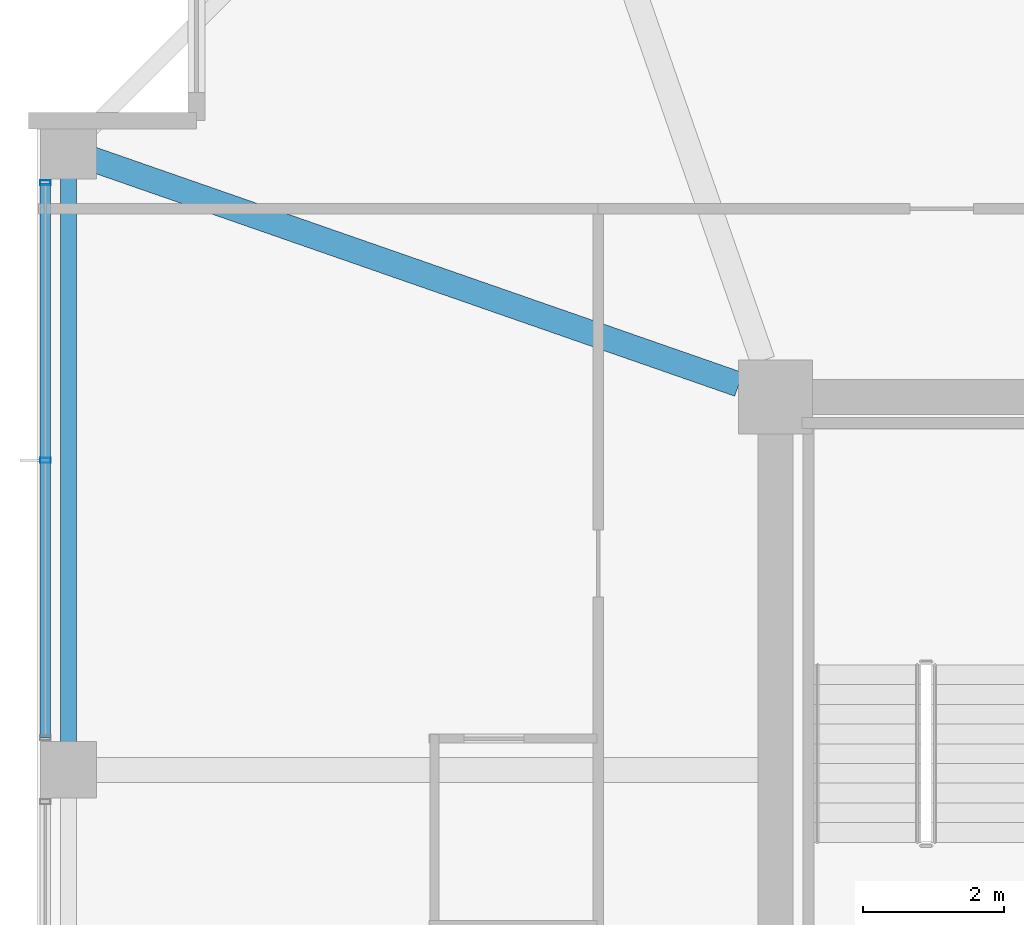
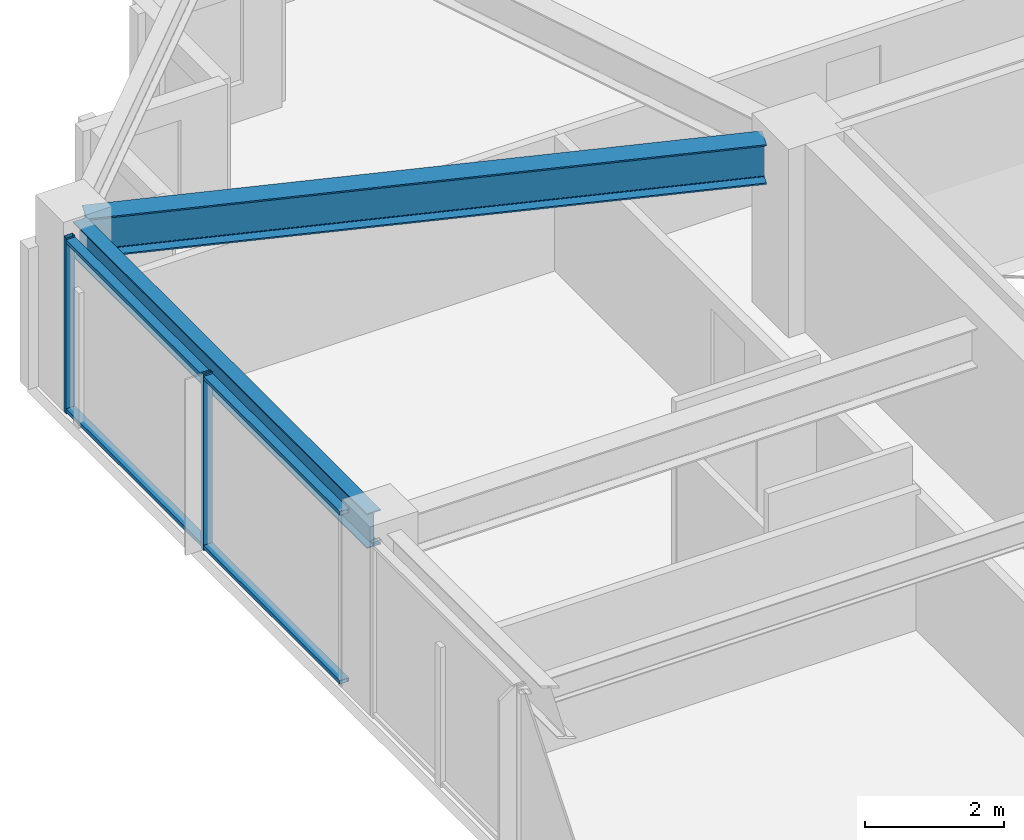
# One storey, part 14 of 36: 4 members, 2 beams, 1 element without a shape of its own.
"""IFC4 building model written with IfcOpenShell, lengths in metres."""

import ifcopenshell
import ifcopenshell.guid

model = None  # the IFC model being written
_history = None  # IfcOwnerHistory: only IFC2X3 demands one
_inside = {}  # id of a spatial element -> (the spatial element, [elements in it])
_under = {}  # id of a project, library or spatial element -> (it, [spatial elements below it])
_declared = {}  # id of a project -> (the project, [libraries it declares])
_typed = {}  # id of a type object -> (the type object, [elements of that type])
_made_of = {}  # id of a material, layer set ... -> (it, [elements and type objects made of it])


def new_model(schema):
    """Start an empty IFC model of exactly this schema.

    Asked for "IFC4X3", IfcOpenShell would pick the latest addendum, in which some entities
    have other attributes; the version numbers below select the first issue.
    IFC2X3 requires an IfcOwnerHistory on every rooted entity: one is made here for all.
    """
    global model, _history
    if schema == "IFC4X3":
        model = ifcopenshell.file(schema_version=(4, 3, 0, 0))
    else:
        model = ifcopenshell.file(schema=schema)
    _inside.clear()
    _under.clear()
    _declared.clear()
    _typed.clear()
    _made_of.clear()
    _history = None
    if model.schema == "IFC2X3":
        org = make("IfcOrganization", Name="unknown")
        user = make(
            "IfcPersonAndOrganization",
            ThePerson=make("IfcPerson", FamilyName="unknown"),
            TheOrganization=org,
        )
        app = make(
            "IfcApplication",
            ApplicationDeveloper=org,
            Version="unknown",
            ApplicationFullName="unknown",
            ApplicationIdentifier="unknown",
        )
        _history = make(
            "IfcOwnerHistory",
            OwningUser=user,
            OwningApplication=app,
            ChangeAction="ADDED",
            CreationDate=0,
        )
    return model


def make(cls, **values):
    """One entity of the class cls with the attributes given. An attribute that is None is left unset."""
    return model.create_entity(
        cls, **{name: value for name, value in values.items() if value is not None}
    )


def rooted(cls, **values):
    """An entity with a GlobalId (a new one), such as an element, a storey or a relation."""
    return make(cls, GlobalId=ifcopenshell.guid.new(), OwnerHistory=_history, **values)


def si_unit(unit_type, name, prefix=None):
    """IfcSIUnit, for example si_unit("LENGTHUNIT", "METRE", prefix="MILLI")."""
    return make("IfcSIUnit", UnitType=unit_type, Prefix=prefix, Name=name)


def assignment(units):
    """IfcUnitAssignment: the units of a project."""
    return None if units is None else make("IfcUnitAssignment", Units=units)


def point(xyz):
    """IfcCartesianPoint."""
    return None if xyz is None else make("IfcCartesianPoint", Coordinates=xyz)


def direction(xyz):
    """IfcDirection."""
    return None if xyz is None else make("IfcDirection", DirectionRatios=xyz)


def frame(location, z_axis=None, x_axis=None):
    """IfcAxis2Placement3D, a coordinate frame: its origin and axes. An axis left out is left unset."""
    return make(
        "IfcAxis2Placement3D",
        Location=point(location),
        Axis=direction(z_axis),
        RefDirection=direction(x_axis),
    )


def frame_2d(location, x_axis=None):
    """IfcAxis2Placement2D, a coordinate frame in the plane: its origin and x axis."""
    return make(
        "IfcAxis2Placement2D", Location=point(location), RefDirection=direction(x_axis)
    )


def origin():
    """The frame at (0, 0, 0) with its axes left unset."""
    return frame((0.0, 0.0, 0.0))


def origin_2d():
    """The frame at (0, 0) in the plane with its x axis left unset."""
    return frame_2d((0.0, 0.0))


def place(relative_to, where):
    """IfcLocalPlacement: puts the frame where relative to a parent placement (None: the world)."""
    return make(
        "IfcLocalPlacement", PlacementRelTo=relative_to, RelativePlacement=where
    )


def context(
    kind, dimensions, precision=None, world=None, true_north=None, identifier=None
):
    """IfcGeometricRepresentationContext, for example the 3D "Model" context."""
    return make(
        "IfcGeometricRepresentationContext",
        ContextIdentifier=identifier,
        ContextType=kind,
        CoordinateSpaceDimension=dimensions,
        Precision=precision,
        WorldCoordinateSystem=world,
        TrueNorth=true_north,
    )


def subcontext(parent, identifier, kind, view, scale=None):
    """IfcGeometricRepresentationSubContext, for example "Body" below "Model"."""
    return make(
        "IfcGeometricRepresentationSubContext",
        ContextIdentifier=identifier,
        ContextType=kind,
        ParentContext=parent,
        TargetScale=scale,
        TargetView=view,
    )


def project(units=None, contexts=None):
    """IfcProject with its units and contexts."""
    return rooted(
        "IfcProject",
        Name="project",
        RepresentationContexts=contexts,
        UnitsInContext=assignment(units),
    )


def spatial(cls, under=None, at=None, **own):
    """A site, building, storey or space (cls), placed at a placement, below another one or the project."""
    s = rooted(cls, ObjectPlacement=at, **own)
    if under is not None:
        _under.setdefault(under.id(), (under, []))[1].append(s)
    return s


def profile(cls, at=None, kind="AREA", **sizes):
    """A parametric profile (cls). Its sizes go by their IFC names, for example OverallWidth=200.0."""
    return make(cls, ProfileType=kind, Position=at, **sizes)


def hollow_rectangle(**sizes):
    """IfcRectangleHollowProfileDef."""
    return profile("IfcRectangleHollowProfileDef", **sizes)


def i_section(**sizes):
    """IfcIShapeProfileDef."""
    return profile("IfcIShapeProfileDef", **sizes)


def extrude(swept, where, along, depth):
    """IfcExtrudedAreaSolid: the profile swept, set in the frame where, extruded along a direction by depth."""
    return make(
        "IfcExtrudedAreaSolid",
        SweptArea=swept,
        Position=where,
        ExtrudedDirection=direction(along),
        Depth=depth,
    )


def shape(context_of_items, identifier, shape_type, items):
    """IfcShapeRepresentation: the items that make up one representation, for example the "Body"."""
    return make(
        "IfcShapeRepresentation",
        ContextOfItems=context_of_items,
        RepresentationIdentifier=identifier,
        RepresentationType=shape_type,
        Items=items,
    )


def material(Name=None, Category=None):
    """IfcMaterial."""
    return make("IfcMaterial", Name=Name, Category=Category)


def material_profile(
    of_material, cross_section, Name=None, Category=None, Priority=None
):
    """IfcMaterialProfile: a cross section and its material."""
    return make(
        "IfcMaterialProfile",
        Name=Name,
        Material=of_material,
        Profile=cross_section,
        Priority=Priority,
        Category=Category,
    )


def profile_set(profiles, Name=None, composite=None):
    """IfcMaterialProfileSet."""
    return make(
        "IfcMaterialProfileSet",
        Name=Name,
        MaterialProfiles=profiles,
        CompositeProfile=composite,
    )


def made_of(thing, what):
    """Note that an element or type object is made of a material, layer set ...; save() writes the relation."""
    if what is not None:
        _made_of.setdefault(what.id(), (what, []))[1].append(thing)
    return thing


def type_object(cls, material=None, **own):
    """A type object (cls), such as IfcWallType, which elements share."""
    return made_of(rooted(cls, **own), material)


def element(
    cls,
    number,
    at=None,
    inside=None,
    cuts=None,
    type_object=None,
    material=None,
    context=None,
    identifier="Body",
    shape_type=None,
    held_by="IfcProductDefinitionShape",
    body=None,
    shapes=None,
    **own,
):
    """One element of the class cls, such as IfcWall. Its Tag is "e" and its number.

    at: its placement. inside: the storey or other place that contains it. cuts: it is an
    opening in that element (IfcRelVoidsElement). A single representation is given by context,
    identifier, shape_type and body (its items); several are given by shapes. held_by: the class
    of the entity that holds the representations. save() writes the other relations.
    """
    e = rooted(cls, Tag="e%d" % number, ObjectPlacement=at, **own)
    if body is not None:
        shapes = [shape(context, identifier, shape_type, body)]
    if shapes is not None:
        e.Representation = make(held_by, Representations=shapes)
    if inside is not None:
        _inside.setdefault(inside.id(), (inside, []))[1].append(e)
    if cuts is not None:
        rooted(
            "IfcRelVoidsElement", RelatingBuildingElement=cuts, RelatedOpeningElement=e
        )
    if type_object is not None:
        _typed.setdefault(type_object.id(), (type_object, []))[1].append(e)
    return made_of(e, material)


def aggregate(whole, parts):
    """IfcRelAggregates: a whole, such as a stair, and the parts it consists of."""
    return rooted("IfcRelAggregates", RelatingObject=whole, RelatedObjects=parts)


def save(model, path):
    """Write the relations noted so far, then the file.

    IfcRelAggregates (storeys below a building ...), IfcRelContainedInSpatialStructure (elements
    in a storey), IfcRelDefinesByType, IfcRelAssociatesMaterial and IfcRelDeclares: one each for
    every whole, place, type object, material and project.
    """
    for whole, parts in _under.values():
        aggregate(whole, parts)
    for where, things in _inside.values():
        rooted(
            "IfcRelContainedInSpatialStructure",
            RelatedElements=things,
            RelatingStructure=where,
        )
    for kind, things in _typed.values():
        rooted("IfcRelDefinesByType", RelatedObjects=things, RelatingType=kind)
    for what, things in _made_of.values():
        rooted("IfcRelAssociatesMaterial", RelatedObjects=things, RelatingMaterial=what)
    for by, libraries in _declared.values():
        rooted("IfcRelDeclares", RelatingContext=by, RelatedDefinitions=libraries)
    model.write(path)


model = new_model("IFC4")

# Units and contexts
model_context = context("Model", 3, precision=1e-05, world=origin(), true_north=direction((0.0, 1.0)))
body_context = subcontext(model_context, "Body", "Model", "MODEL_VIEW")
ifc_project = project(units=[si_unit("LENGTHUNIT", "METRE"), si_unit("AREAUNIT", "SQUARE_METRE"), si_unit("VOLUMEUNIT", "CUBIC_METRE"), si_unit("PLANEANGLEUNIT", "RADIAN"), si_unit("MASSUNIT", "GRAM", prefix="KILO")], contexts=[model_context])

# Site, building, storey
site_placement = place(None, origin())
site = spatial("IfcSite", under=ifc_project, at=site_placement, CompositionType="ELEMENT")
building_placement = place(site_placement, origin())
building = spatial("IfcBuilding", under=site, at=building_placement, Name="Kolvaren Belvedere", CompositionType="ELEMENT")
storey_placement = place(building_placement, frame((0.0, 0.0, 193.199951171875)))
storey = spatial("IfcBuildingStorey", under=building, at=storey_placement, Name="L56", CompositionType="ELEMENT", Elevation=193.199951171875)

# Beams
ifc_material_1 = material(Name="Structural steel ASTM A992 Grade 50", Category="steel")
ifc_material_profile_1 = material_profile(ifc_material_1, i_section(OverallWidth=0.35498046875, OverallDepth=0.696044921875, WebThickness=0.015380859375, FlangeThickness=0.02490234375, FilletRadius=0.02197265625, at=origin_2d()), Name="W27X146")
ifc_profile_set_1 = profile_set([ifc_material_profile_1], Name="Structural steel ASTM A992 Grade 50")
beam_type_1 = type_object("IfcBeamType", Name="BM-GIRD-W27X146", PredefinedType="BEAM", material=ifc_profile_set_1)
beam_1_placement = place(storey_placement, frame((-10.41943359375, 10.080810546875, 2.73193359375), z_axis=(-0.944365399758, 0.328898147971, 0.0), x_axis=(-0.328898147971, -0.944365399758, 0.0)))
element("IfcBeam", 1, at=beam_1_placement, inside=storey, type_object=beam_type_1, Name="L56 Corner Core-to-Perimeter Girder CC4-W4", PredefinedType="BEAM", context=body_context, shape_type="SweptSolid", body=[
    extrude(i_section(OverallWidth=0.35498046875, OverallDepth=0.696044921875, WebThickness=0.015380859375, FlangeThickness=0.02490234375, FilletRadius=0.02197265625, at=origin_2d()), origin(), (0.0, 0.0, 1.0), 9.931884765625),
])
ifc_material_2 = material(Name="Structural steel ASTM A992 Grade 50", Category="steel")
ifc_material_profile_2 = material_profile(ifc_material_2, i_section(OverallWidth=0.22900390625, OverallDepth=0.612060546875, WebThickness=0.011962890625, FlangeThickness=0.01953125, FilletRadius=0.01806640625, at=origin_2d()), Name="W24X84")
ifc_profile_set_2 = profile_set([ifc_material_profile_2], Name="Structural steel ASTM A992 Grade 50")
beam_type_2 = type_object("IfcBeamType", Name="BM-SPAN-W24X84", PredefinedType="SPANDREL", material=ifc_profile_set_2)
beam_2_placement = place(storey_placement, frame((-19.949951171875, 13.219970703125, 2.774169921875), z_axis=(0.0, -1.0, 0.0), x_axis=(1.0, 0.0, 0.0)))
element("IfcBeam", 2, at=beam_2_placement, inside=storey, type_object=beam_type_2, Name="L56 Perimeter Spandrel W4-W3", PredefinedType="SPANDREL", context=body_context, shape_type="SweptSolid", body=[
    extrude(i_section(OverallWidth=0.22900390625, OverallDepth=0.612060546875, WebThickness=0.011962890625, FlangeThickness=0.01953125, FilletRadius=0.01806640625, at=origin_2d()), origin(), (0.0, 0.0, 1.0), 8.43994140625),
])

# Curtain wall, members
ifc_material_3 = material(Name="Anodised pale-metal aluminium AA 6063-T6", Category="aluminium")
curtain_wall_type = type_object("IfcCurtainWallType", Name="CW-Z5-HIGH", PredefinedType="NOTDEFINED", material=ifc_material_3)
curtain_wall_placement = place(storey_placement, origin())
curtain_wall = element("IfcCurtainWall", 3, at=curtain_wall_placement, inside=storey, type_object=curtain_wall_type, Name="L56 Unitised Curtain Wall FCW-L56-W-B3", PredefinedType="NOTDEFINED")
ifc_material_4 = material(Name="Anodised pale-metal aluminium AA 6063-T6", Category="aluminium")
ifc_material_profile_3 = material_profile(ifc_material_4, hollow_rectangle(XDim=0.070068359375, YDim=0.14990234375, WallThickness=0.004150390625, at=origin_2d()), Name="ALU-MUL-150X70")
ifc_profile_set_3 = profile_set([ifc_material_profile_3], Name="Anodised pale-metal aluminium AA 6063-T6")
member_type_1 = type_object("IfcMemberType", Name="CW-MUL-150", PredefinedType="MULLION", material=ifc_profile_set_3)
member_1_placement = place(storey_placement, frame((-20.280029296875, 9.0, 0.0), z_axis=(0.0, 0.0, 1.0), x_axis=(0.0, 1.0, 0.0)))
member_1 = element("IfcMember", 4, at=member_1_placement, type_object=member_type_1, Name="FCW-L56-W-B3 Unitised Mullion 2", PredefinedType="MULLION", context=body_context, shape_type="SweptSolid", body=[
    extrude(hollow_rectangle(XDim=0.070068359375, YDim=0.14990234375, WallThickness=0.004150390625, at=origin_2d()), origin(), (0.0, 0.0, 1.0), 3.080078125),
])
member_2_placement = place(storey_placement, frame((-20.280029296875, 12.945068359375, 0.0), z_axis=(0.0, 0.0, 1.0), x_axis=(0.0, 1.0, 0.0)))
member_2 = element("IfcMember", 5, at=member_2_placement, type_object=member_type_1, Name="FCW-L56-W-B3 Unitised Mullion 3", PredefinedType="MULLION", context=body_context, shape_type="SweptSolid", body=[
    extrude(hollow_rectangle(XDim=0.070068359375, YDim=0.14990234375, WallThickness=0.004150390625, at=origin_2d()), origin(), (0.0, 0.0, 1.0), 3.080078125),
])
ifc_material_5 = material(Name="Anodised pale-metal aluminium AA 6063-T6", Category="aluminium")
ifc_material_profile_4 = material_profile(ifc_material_5, hollow_rectangle(XDim=0.06494140625, YDim=0.14990234375, WallThickness=0.00390625, at=origin_2d()), Name="ALU-TRN-150X65")
ifc_profile_set_4 = profile_set([ifc_material_profile_4], Name="Anodised pale-metal aluminium AA 6063-T6")
member_type_2 = type_object("IfcMemberType", Name="CW-TRN-150", PredefinedType="USERDEFINED", material=ifc_profile_set_4)
member_3_placement = place(storey_placement, frame((-20.280029296875, 5.054931640625, 0.06005859375), z_axis=(0.0, 1.0, 0.0), x_axis=(0.0, 0.0, 1.0)))
member_3 = element("IfcMember", 6, at=member_3_placement, type_object=member_type_2, Name="FCW-L56-W-B3 Sill Transom", ObjectType="TRANSOM", PredefinedType="USERDEFINED", context=body_context, shape_type="SweptSolid", body=[
    extrude(hollow_rectangle(XDim=0.06494140625, YDim=0.14990234375, WallThickness=0.00390625, at=origin_2d()), origin(), (0.0, 0.0, 1.0), 7.89013671875),
])
member_4_placement = place(storey_placement, frame((-20.280029296875, 5.054931640625, 3.02001953125), z_axis=(0.0, 1.0, 0.0), x_axis=(0.0, 0.0, 1.0)))
member_4 = element("IfcMember", 7, at=member_4_placement, type_object=member_type_2, Name="FCW-L56-W-B3 Head Transom", ObjectType="TRANSOM", PredefinedType="USERDEFINED", context=body_context, shape_type="SweptSolid", body=[
    extrude(hollow_rectangle(XDim=0.06494140625, YDim=0.14990234375, WallThickness=0.00390625, at=origin_2d()), origin(), (0.0, 0.0, 1.0), 7.89013671875),
])
aggregate(curtain_wall, [member_1, member_2, member_3, member_4])

save(model, "model.ifc")
